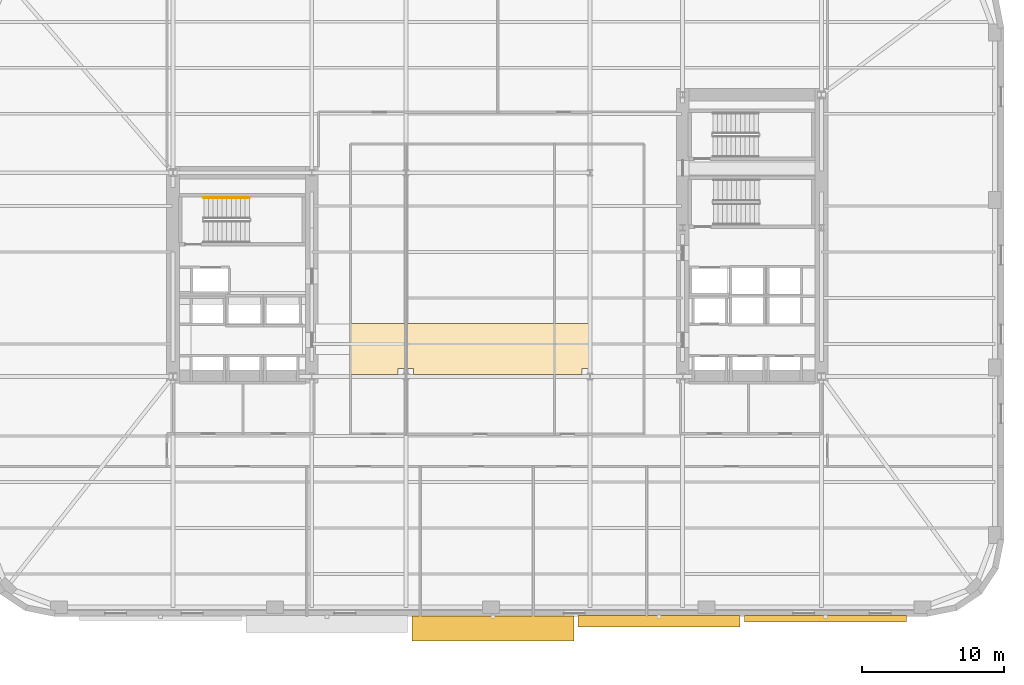
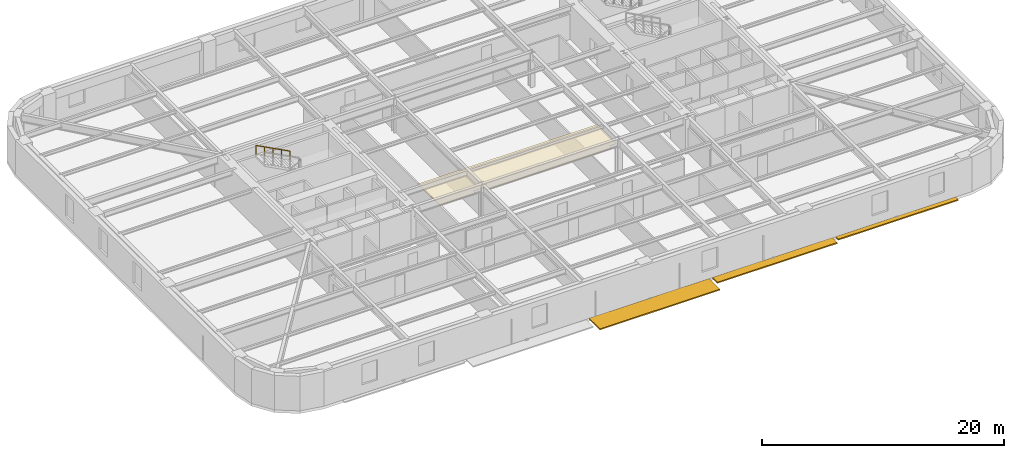
# One storey, part 10 of 14: 3 shading devices, 1 covering, 1 railing.
"""IFC4 building model written with IfcOpenShell, lengths in metres."""

from ifc_helpers import new_model, si_unit, direction, frame, origin, origin_2d, place, context, subcontext, project, spatial, polyline, rectangle, circle, outline, extrude, material, layer, layer_set, type_object, element, save


model = new_model("IFC4")

# Units and contexts
model_context = context("Model", 3, precision=1e-05, world=origin(), true_north=direction((0.0, 1.0)))
body_context = subcontext(model_context, "Body", "Model", "MODEL_VIEW")
ifc_project = project(units=[si_unit("LENGTHUNIT", "METRE"), si_unit("AREAUNIT", "SQUARE_METRE"), si_unit("VOLUMEUNIT", "CUBIC_METRE"), si_unit("PLANEANGLEUNIT", "RADIAN"), si_unit("MASSUNIT", "GRAM", prefix="KILO")], contexts=[model_context])

# Site, building, storey
site_placement = place(None, origin())
site = spatial("IfcSite", under=ifc_project, at=site_placement, CompositionType="ELEMENT")
building_placement = place(site_placement, origin())
building = spatial("IfcBuilding", under=site, at=building_placement, Name="Kolvaren Arena Tower", CompositionType="ELEMENT")
storey_placement = place(building_placement, frame((0.0, 0.0, 57.0)))
storey = spatial("IfcBuildingStorey", under=building, at=storey_placement, Name="L11", CompositionType="ELEMENT", Elevation=57.0)

# Covering
ifc_material_1 = material(Name="Mineral fibre acoustic ceiling tile", Category="gypsum")
ifc_layer = layer(ifc_material_1, 0.02490234375)
ifc_layer_set = layer_set([ifc_layer], Name="Mineral fibre acoustic ceiling tile")
covering_type = type_object("IfcCoveringType", Name="CEIL-ACT-1", PredefinedType="CEILING", material=ifc_layer_set)
covering_placement = place(storey_placement, frame((0.0, 0.0, 2.52001953125)))
element("IfcCovering", 1, at=covering_placement, inside=storey, type_object=covering_type, Name="Suspended Ceiling (L11)", PredefinedType="CEILING", context=body_context, shape_type="SweptSolid", body=[
    extrude(outline(polyline([(27.050048828125, 19.60009765625), (27.050048828125, 23.199951171875), (44.10009765625, 23.199951171875), (44.10009765625, 20.0), (43.449951171875, 20.0), (43.449951171875, 19.60009765625), (31.550048828125, 19.60009765625), (31.550048828125, 20.0), (30.449951171875, 20.0), (30.449951171875, 19.60009765625), (27.050048828125, 19.60009765625)])), origin(), (0.0, 0.0, 1.0), 0.02490234375),
])

# Railing
ifc_material_2 = material(Name="Brushed stainless steel handrail", Category="steel")
railing_type = type_object("IfcRailingType", Name="HRAIL-900", PredefinedType="HANDRAIL", material=ifc_material_2)
railing_placement = place(storey_placement, frame((19.9599609375, 32.080078125, 2.04541015625)))
element("IfcRailing", 2, at=railing_placement, inside=storey, type_object=railing_type, Name="L11 ST-W1 stair handrail 2", PredefinedType="HANDRAIL", context=body_context, shape_type="SweptSolid", body=[
    extrude(circle(Radius=0.02392578125, at=origin_2d()), frame((0.0, 0.0, 0.8759765625), z_axis=(-0.884993431791, 0.0, 0.465603506952), x_axis=(0.0, -1.0, 0.0)), (0.0, 0.0, 1.0), 3.6611328125),
    extrude(circle(Radius=0.02099609375, at=origin_2d()), origin(), (0.0, 0.0, 1.0), 0.851806640625),
    extrude(circle(Radius=0.02099609375, at=origin_2d()), frame((-0.81005859375, 0.0, 0.42626953125)), (0.0, 0.0, 1.0), 0.851806640625),
    extrude(circle(Radius=0.02099609375, at=origin_2d()), frame((-1.6201171875, 0.0, 0.852294921875)), (0.0, 0.0, 1.0), 0.851806640625),
    extrude(circle(Radius=0.02099609375, at=origin_2d()), frame((-2.429931640625, 0.0, 1.2783203125)), (0.0, 0.0, 1.0), 0.851806640625),
    extrude(circle(Radius=0.02099609375, at=origin_2d()), frame((-3.239990234375, 0.0, 1.70458984375)), (0.0, 0.0, 1.0), 0.851806640625),
])

# Shading devices
ifc_material_3 = material(Name="Architectural precast GFRC and anodised aluminium sunshade", Category="concrete")
shading_device_type_1 = type_object("IfcShadingDeviceType", Name="SHAD-SINE-A", PredefinedType="USERDEFINED", material=ifc_material_3)
shading_device_1_placement = place(storey_placement, frame((60.6298828125, 2.334228515625, -0.14013671875), z_axis=(0.0, 0.0, 1.0), x_axis=(-1.0, 0.0, 0.0)))
element("IfcShadingDevice", 3, at=shading_device_1_placement, inside=storey, type_object=shading_device_type_1, Name="Sinusoidal Slab-Edge Sunshade Louvre (L11)", ObjectType="LOUVRE", PredefinedType="USERDEFINED", context=body_context, shape_type="SweptSolid", body=[
    extrude(rectangle(XDim=11.43994140625, YDim=0.431640625, at=origin_2d()), origin(), (0.0, 0.0, 1.0), 0.1201171875),
])
shading_device_2_placement = place(storey_placement, frame((48.889892578125, 2.14599609375, -0.14013671875), z_axis=(0.0, 0.0, 1.0), x_axis=(-1.0, 0.0, 0.0)))
element("IfcShadingDevice", 4, at=shading_device_2_placement, inside=storey, type_object=shading_device_type_1, Name="Sinusoidal Slab-Edge Sunshade Louvre (L11)", ObjectType="LOUVRE", PredefinedType="USERDEFINED", context=body_context, shape_type="SweptSolid", body=[
    extrude(rectangle(XDim=11.43994140625, YDim=0.80810546875, at=origin_2d()), origin(), (0.0, 0.0, 1.0), 0.1201171875),
])
shading_device_type_2 = type_object("IfcShadingDeviceType", Name="SHAD-SINE-B", PredefinedType="JALOUSIE", material=ifc_material_3)
shading_device_3_placement = place(storey_placement, frame((37.14990234375, 1.66357421875, -0.14013671875), z_axis=(0.0, 0.0, 1.0), x_axis=(-1.0, 0.0, 0.0)))
element("IfcShadingDevice", 5, at=shading_device_3_placement, inside=storey, type_object=shading_device_type_2, Name="Sinusoidal Slab-Edge Sunshade Louvre (L11)", PredefinedType="JALOUSIE", context=body_context, shape_type="SweptSolid", body=[
    extrude(rectangle(XDim=11.43994140625, YDim=1.772705078125, at=origin_2d()), origin(), (0.0, 0.0, 1.0), 0.1201171875),
])

save(model, "model.ifc")
